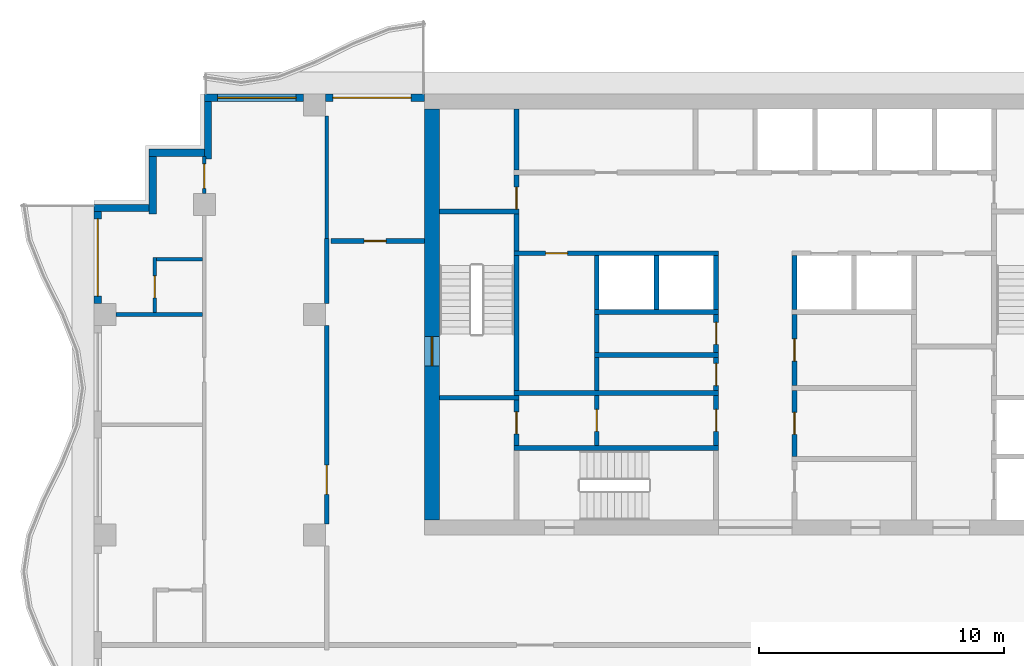
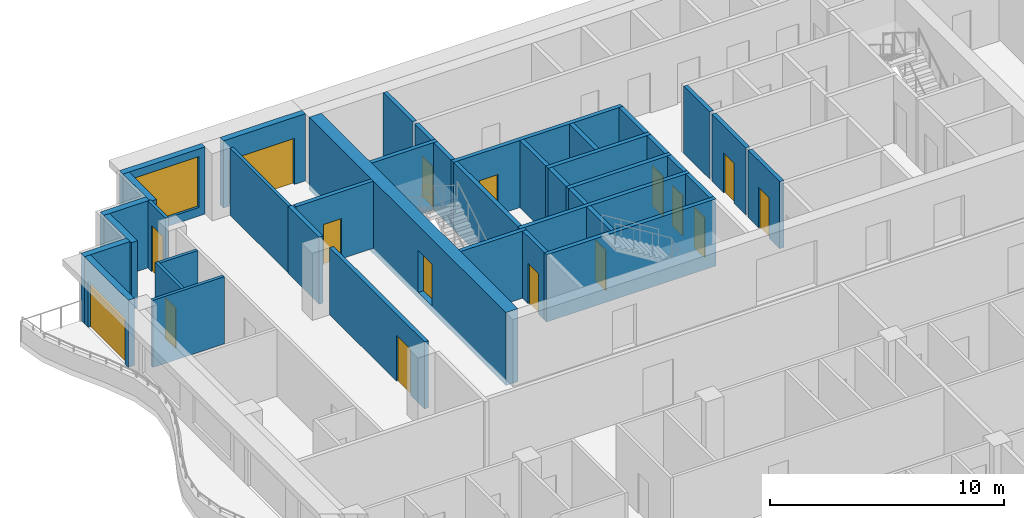
# One storey, part 5 of 11: 40 walls, 16 doors, 1 window, 17 openings.
"""IFC4 building model written with IfcOpenShell, lengths in metres."""

from ifc_helpers import new_model, si_unit, direction, frame, frame_2d, origin, place, context, subcontext, project, spatial, rectangle, extrude, material, layer, layer_set, type_object, element, fill, save


model = new_model("IFC4")

# Units and contexts
model_context = context("Model", 3, precision=1e-05, world=origin(), true_north=direction((0.0, 1.0)))
body_context = subcontext(model_context, "Body", "Model", "MODEL_VIEW")
ifc_project = project(units=[si_unit("LENGTHUNIT", "METRE"), si_unit("AREAUNIT", "SQUARE_METRE"), si_unit("VOLUMEUNIT", "CUBIC_METRE"), si_unit("PLANEANGLEUNIT", "RADIAN"), si_unit("MASSUNIT", "GRAM", prefix="KILO")], contexts=[model_context])

# Site, building, storey
site_placement = place(None, origin())
site = spatial("IfcSite", under=ifc_project, at=site_placement, CompositionType="ELEMENT")
building_placement = place(site_placement, origin())
building = spatial("IfcBuilding", under=site, at=building_placement, Name="Orbiselva Terraces", CompositionType="ELEMENT")
storey_placement = place(building_placement, frame((0.0, 0.0, 280.6)))
storey = spatial("IfcBuildingStorey", under=building, at=storey_placement, Name="L71", CompositionType="ELEMENT", Elevation=280.6)

# Wall, opening, door
ifc_material_1 = material(Name="Concrete C80/95", Category="concrete")
ifc_layer_1 = layer(ifc_material_1, 0.6)
ifc_layer_set_1 = layer_set([ifc_layer_1], Name="Concrete C80/95")
wall_type_1 = type_object("IfcWallType", Name="CORE WALL 600", PredefinedType="SHEAR", material=ifc_layer_set_1)
wall_1_placement = place(storey_placement, frame((-13.2, 21.9, -0.3), z_axis=(0.0, 0.0, 1.0), x_axis=(0.0, -1.0, 0.0)))
wall_1 = element("IfcWall", 1, at=wall_1_placement, inside=storey, type_object=wall_type_1, Name="Core wall L71 west", PredefinedType="SHEAR", context=body_context, shape_type="SweptSolid", body=[
    extrude(rectangle(XDim=16.8, YDim=0.6, at=frame_2d((8.4, 0.0))), origin(), (0.0, 0.0, 1.0), 3.8),
])
opening_1_placement = place(wall_1_placement, frame((9.3, 0.0, 0.3)))
opening_1 = element("IfcOpeningElement", 2, at=opening_1_placement, cuts=wall_1, Name="Opening DS1200", PredefinedType="OPENING", context=body_context, shape_type="SweptSolid", body=[
    extrude(rectangle(XDim=1.2, YDim=2.2, at=frame_2d((0.6, 1.1))), frame((0.0, 0.31, 0.0), z_axis=(0.0, -1.0, 0.0), x_axis=(1.0, 0.0, 0.0)), (0.0, 0.0, 1.0), 0.62),
])
ifc_material_2 = material(Name="Steel fire door", Category="steel")
door_type_1 = type_object("IfcDoorType", Name="STAIR DOOR 1200", OperationType="NOTDEFINED", PredefinedType="DOOR", material=ifc_material_2)
door_1_placement = place(opening_1_placement, frame((1.2, 0.0, 0.0), z_axis=(0.0, 0.0, 1.0), x_axis=(-1.0, 0.0, 0.0)))
door_1 = element("IfcDoor", 3, at=door_1_placement, inside=storey, type_object=door_type_1, Name="L71 EXIT STAIR S1 door", OperationType="SINGLE_SWING_RIGHT", OverallHeight=2.2, OverallWidth=1.2, PredefinedType="DOOR", context=body_context, shape_type="SweptSolid", body=[
    extrude(rectangle(XDim=1.2, YDim=2.2, at=frame_2d((0.6, 1.1))), frame((0.0, 0.025, 0.0), z_axis=(0.0, -1.0, 0.0), x_axis=(1.0, 0.0, 0.0)), (0.0, 0.0, 1.0), 0.05),
])
fill(opening_1, door_1)

ifc_material_3 = material(Name="Masonry blockwork", Category="masonry")
ifc_layer_2 = layer(ifc_material_3, 0.2)
ifc_layer_set_2 = layer_set([ifc_layer_2], Name="Masonry blockwork")
wall_type_2 = type_object("IfcWallType", Name="CORE-WALL-PARTITION-200", PredefinedType="PARTITIONING", material=ifc_layer_set_2)
wall_2_placement = place(storey_placement, frame((-9.75, 8.15, 0.0), z_axis=(0.0, 0.0, 1.0), x_axis=(0.0, 1.0, 0.0)))
wall_2 = element("IfcWall", 4, at=wall_2_placement, inside=storey, type_object=wall_type_2, Name="L71 core wall 05", PredefinedType="PARTITIONING", context=body_context, shape_type="SweptSolid", body=[
    extrude(rectangle(XDim=1.85, YDim=0.2, at=frame_2d((0.925, 0.0))), origin(), (0.0, 0.0, 1.0), 3.5),
])
opening_2_placement = place(wall_2_placement, frame((0.475, 0.0, 0.0)))
opening_2 = element("IfcOpeningElement", 5, at=opening_2_placement, cuts=wall_2, Name="Opening DR900", PredefinedType="OPENING", context=body_context, shape_type="SweptSolid", body=[
    extrude(rectangle(XDim=0.9, YDim=2.1, at=frame_2d((0.45, 1.05))), frame((0.0, 0.11, 0.0), z_axis=(0.0, -1.0, 0.0), x_axis=(1.0, 0.0, 0.0)), (0.0, 0.0, 1.0), 0.22),
])
door_type_2 = type_object("IfcDoorType", Name="ROOM DOOR 900", OperationType="NOTDEFINED", PredefinedType="DOOR", material=ifc_material_2)
door_2_placement = place(opening_2_placement, origin())
door_2 = element("IfcDoor", 6, at=door_2_placement, inside=storey, type_object=door_type_2, Name="L71 ACCESSIBLE WC door", OperationType="SINGLE_SWING_RIGHT", OverallHeight=2.1, OverallWidth=0.9, PredefinedType="DOOR", context=body_context, shape_type="SweptSolid", body=[
    extrude(rectangle(XDim=0.9, YDim=2.1, at=frame_2d((0.45, 1.05))), frame((0.0, 0.025, 0.0), z_axis=(0.0, -1.0, 0.0), x_axis=(1.0, 0.0, 0.0)), (0.0, 0.0, 1.0), 0.05),
])
fill(opening_2, door_2)

wall_3_placement = place(storey_placement, frame((-9.75, 17.8, 0.0), z_axis=(0.0, 0.0, 1.0), x_axis=(0.0, 1.0, 0.0)))
wall_3 = element("IfcWall", 7, at=wall_3_placement, inside=storey, type_object=wall_type_2, Name="L71 core wall 10", PredefinedType="PARTITIONING", context=body_context, shape_type="SweptSolid", body=[
    extrude(rectangle(XDim=1.4, YDim=0.2, at=frame_2d((0.7, 0.0))), origin(), (0.0, 0.0, 1.0), 3.5),
])
opening_3_placement = place(wall_3_placement, origin())
opening_3 = element("IfcOpeningElement", 8, at=opening_3_placement, cuts=wall_3, Name="Opening DR900", PredefinedType="OPENING", context=body_context, shape_type="SweptSolid", body=[
    extrude(rectangle(XDim=0.9, YDim=2.1, at=frame_2d((0.45, 1.05))), frame((0.0, 0.11, 0.0), z_axis=(0.0, -1.0, 0.0), x_axis=(1.0, 0.0, 0.0)), (0.0, 0.0, 1.0), 0.22),
])
door_3_placement = place(opening_3_placement, origin())
door_3 = element("IfcDoor", 9, at=door_3_placement, inside=storey, type_object=door_type_2, Name="L71 COMMS RISER ROOM door", OperationType="SINGLE_SWING_LEFT", OverallHeight=2.1, OverallWidth=0.9, PredefinedType="DOOR", context=body_context, shape_type="SweptSolid", body=[
    extrude(rectangle(XDim=0.9, YDim=2.1, at=frame_2d((0.45, 1.05))), frame((0.0, 0.025, 0.0), z_axis=(0.0, -1.0, 0.0), x_axis=(1.0, 0.0, 0.0)), (0.0, 0.0, 1.0), 0.05),
])
fill(opening_3, door_3)

# Wall
wall_4_placement = place(storey_placement, frame((-9.75, 19.4, 0.0), z_axis=(0.0, 0.0, 1.0), x_axis=(0.0, 1.0, 0.0)))
element("IfcWall", 10, at=wall_4_placement, inside=storey, type_object=wall_type_2, Name="L71 core wall 12", PredefinedType="PARTITIONING", context=body_context, shape_type="SweptSolid", body=[
    extrude(rectangle(XDim=2.5, YDim=0.2, at=frame_2d((1.25, 0.0))), origin(), (0.0, 0.0, 1.0), 3.5),
])

# Wall, opening, door
wall_5_placement = place(storey_placement, frame((-6.475, 8.15, 0.0), z_axis=(0.0, 0.0, 1.0), x_axis=(0.0, 1.0, 0.0)))
wall_5 = element("IfcWall", 11, at=wall_5_placement, inside=storey, type_object=wall_type_2, Name="L71 core wall 13", PredefinedType="PARTITIONING", context=body_context, shape_type="SweptSolid", body=[
    extrude(rectangle(XDim=2.05, YDim=0.2, at=frame_2d((1.025, 0.0))), origin(), (0.0, 0.0, 1.0), 3.5),
])
opening_4_placement = place(wall_5_placement, frame((0.575, 0.0, 0.0)))
opening_4 = element("IfcOpeningElement", 12, at=opening_4_placement, cuts=wall_5, Name="Opening DR900", PredefinedType="OPENING", context=body_context, shape_type="SweptSolid", body=[
    extrude(rectangle(XDim=0.9, YDim=2.1, at=frame_2d((0.45, 1.05))), frame((0.0, 0.11, 0.0), z_axis=(0.0, -1.0, 0.0), x_axis=(1.0, 0.0, 0.0)), (0.0, 0.0, 1.0), 0.22),
])
door_4_placement = place(opening_4_placement, origin())
door_4 = element("IfcDoor", 13, at=door_4_placement, inside=storey, type_object=door_type_2, Name="L71 CLEANERS STORE door", OperationType="SINGLE_SWING_RIGHT", OverallHeight=2.1, OverallWidth=0.9, PredefinedType="DOOR", context=body_context, shape_type="SweptSolid", body=[
    extrude(rectangle(XDim=0.9, YDim=2.1, at=frame_2d((0.45, 1.05))), frame((0.0, 0.025, 0.0), z_axis=(0.0, -1.0, 0.0), x_axis=(1.0, 0.0, 0.0)), (0.0, 0.0, 1.0), 0.05),
])
fill(opening_4, door_4)

# Walls
wall_6_placement = place(storey_placement, frame((-6.475, 10.4, 0.0), z_axis=(0.0, 0.0, 1.0), x_axis=(0.0, 1.0, 0.0)))
element("IfcWall", 14, at=wall_6_placement, inside=storey, type_object=wall_type_2, Name="L71 core wall 14", PredefinedType="PARTITIONING", context=body_context, shape_type="SweptSolid", body=[
    extrude(rectangle(XDim=1.35, YDim=0.2, at=frame_2d((0.675, 0.0))), origin(), (0.0, 0.0, 1.0), 3.5),
])
wall_7_placement = place(storey_placement, frame((-6.475, 11.95, 0.0), z_axis=(0.0, 0.0, 1.0), x_axis=(0.0, 1.0, 0.0)))
element("IfcWall", 15, at=wall_7_placement, inside=storey, type_object=wall_type_2, Name="L71 core wall 16", PredefinedType="PARTITIONING", context=body_context, shape_type="SweptSolid", body=[
    extrude(rectangle(XDim=1.55, YDim=0.2, at=frame_2d((0.775, 0.0))), origin(), (0.0, 0.0, 1.0), 3.5),
])

# Wall, opening, door
wall_8_placement = place(storey_placement, frame((-1.6, 8.15, 0.0), z_axis=(0.0, 0.0, 1.0), x_axis=(0.0, 1.0, 0.0)))
wall_8 = element("IfcWall", 16, at=wall_8_placement, inside=storey, type_object=wall_type_2, Name="L71 core wall 22", PredefinedType="PARTITIONING", context=body_context, shape_type="SweptSolid", body=[
    extrude(rectangle(XDim=2.05, YDim=0.2, at=frame_2d((1.025, 0.0))), origin(), (0.0, 0.0, 1.0), 3.5),
])
opening_5_placement = place(wall_8_placement, frame((0.575, 0.0, 0.0)))
opening_5 = element("IfcOpeningElement", 17, at=opening_5_placement, cuts=wall_8, Name="Opening DR900", PredefinedType="OPENING", context=body_context, shape_type="SweptSolid", body=[
    extrude(rectangle(XDim=0.9, YDim=2.1, at=frame_2d((0.45, 1.05))), frame((0.0, 0.11, 0.0), z_axis=(0.0, -1.0, 0.0), x_axis=(1.0, 0.0, 0.0)), (0.0, 0.0, 1.0), 0.22),
])
door_5_placement = place(opening_5_placement, origin())
door_5 = element("IfcDoor", 18, at=door_5_placement, inside=storey, type_object=door_type_2, Name="L71 COMMS ROOM door", OperationType="SINGLE_SWING_RIGHT", OverallHeight=2.1, OverallWidth=0.9, PredefinedType="DOOR", context=body_context, shape_type="SweptSolid", body=[
    extrude(rectangle(XDim=0.9, YDim=2.1, at=frame_2d((0.45, 1.05))), frame((0.0, 0.025, 0.0), z_axis=(0.0, -1.0, 0.0), x_axis=(1.0, 0.0, 0.0)), (0.0, 0.0, 1.0), 0.05),
])
fill(opening_5, door_5)

wall_9_placement = place(storey_placement, frame((-1.6, 10.4, 0.0), z_axis=(0.0, 0.0, 1.0), x_axis=(0.0, 1.0, 0.0)))
wall_9 = element("IfcWall", 19, at=wall_9_placement, inside=storey, type_object=wall_type_2, Name="L71 core wall 23", PredefinedType="PARTITIONING", context=body_context, shape_type="SweptSolid", body=[
    extrude(rectangle(XDim=1.35, YDim=0.2, at=frame_2d((0.675, 0.0))), origin(), (0.0, 0.0, 1.0), 3.5),
])
opening_6_placement = place(wall_9_placement, frame((0.2, 0.0, 0.0)))
opening_6 = element("IfcOpeningElement", 20, at=opening_6_placement, cuts=wall_9, Name="Opening DR900", PredefinedType="OPENING", context=body_context, shape_type="SweptSolid", body=[
    extrude(rectangle(XDim=0.9, YDim=2.1, at=frame_2d((0.45, 1.05))), frame((0.0, 0.11, 0.0), z_axis=(0.0, -1.0, 0.0), x_axis=(1.0, 0.0, 0.0)), (0.0, 0.0, 1.0), 0.22),
])
door_6_placement = place(opening_6_placement, origin())
door_6 = element("IfcDoor", 21, at=door_6_placement, inside=storey, type_object=door_type_2, Name="L71 BUILDING STORE door", OperationType="SINGLE_SWING_LEFT", OverallHeight=2.1, OverallWidth=0.9, PredefinedType="DOOR", context=body_context, shape_type="SweptSolid", body=[
    extrude(rectangle(XDim=0.9, YDim=2.1, at=frame_2d((0.45, 1.05))), frame((0.0, 0.025, 0.0), z_axis=(0.0, -1.0, 0.0), x_axis=(1.0, 0.0, 0.0)), (0.0, 0.0, 1.0), 0.05),
])
fill(opening_6, door_6)

wall_10_placement = place(storey_placement, frame((-1.6, 11.95, 0.0), z_axis=(0.0, 0.0, 1.0), x_axis=(0.0, 1.0, 0.0)))
wall_10 = element("IfcWall", 22, at=wall_10_placement, inside=storey, type_object=wall_type_2, Name="L71 core wall 24", PredefinedType="PARTITIONING", context=body_context, shape_type="SweptSolid", body=[
    extrude(rectangle(XDim=1.55, YDim=0.2, at=frame_2d((0.775, 0.0))), origin(), (0.0, 0.0, 1.0), 3.5),
])
opening_7_placement = place(wall_10_placement, frame((0.325, 0.0, 0.0)))
opening_7 = element("IfcOpeningElement", 23, at=opening_7_placement, cuts=wall_10, Name="Opening DR900", PredefinedType="OPENING", context=body_context, shape_type="SweptSolid", body=[
    extrude(rectangle(XDim=0.9, YDim=2.1, at=frame_2d((0.45, 1.05))), frame((0.0, 0.11, 0.0), z_axis=(0.0, -1.0, 0.0), x_axis=(1.0, 0.0, 0.0)), (0.0, 0.0, 1.0), 0.22),
])
door_7_placement = place(opening_7_placement, origin())
door_7 = element("IfcDoor", 24, at=door_7_placement, inside=storey, type_object=door_type_2, Name="L71 LINEN STORE door", OperationType="SINGLE_SWING_LEFT", OverallHeight=2.1, OverallWidth=0.9, PredefinedType="DOOR", context=body_context, shape_type="SweptSolid", body=[
    extrude(rectangle(XDim=0.9, YDim=2.1, at=frame_2d((0.45, 1.05))), frame((0.0, 0.025, 0.0), z_axis=(0.0, -1.0, 0.0), x_axis=(1.0, 0.0, 0.0)), (0.0, 0.0, 1.0), 0.05),
])
fill(opening_7, door_7)

wall_11_placement = place(storey_placement, frame((1.6, 10.4, 0.0), z_axis=(0.0, 0.0, 1.0), x_axis=(0.0, -1.0, 0.0)))
wall_11 = element("IfcWall", 25, at=wall_11_placement, inside=storey, type_object=wall_type_2, Name="L71 core wall 29", PredefinedType="PARTITIONING", context=body_context, shape_type="SweptSolid", body=[
    extrude(rectangle(XDim=2.7, YDim=0.2, at=frame_2d((1.35, 0.0))), origin(), (0.0, 0.0, 1.0), 3.5),
])
opening_8_placement = place(wall_11_placement, frame((0.9, 0.0, 0.0)))
opening_8 = element("IfcOpeningElement", 26, at=opening_8_placement, cuts=wall_11, Name="Opening DR900", PredefinedType="OPENING", context=body_context, shape_type="SweptSolid", body=[
    extrude(rectangle(XDim=0.9, YDim=2.1, at=frame_2d((0.45, 1.05))), frame((0.0, 0.11, 0.0), z_axis=(0.0, -1.0, 0.0), x_axis=(1.0, 0.0, 0.0)), (0.0, 0.0, 1.0), 0.22),
])
door_8_placement = place(opening_8_placement, origin())
door_8 = element("IfcDoor", 27, at=door_8_placement, inside=storey, type_object=door_type_2, Name="L71 SERVICE PANTRY door", OperationType="SINGLE_SWING_LEFT", OverallHeight=2.1, OverallWidth=0.9, PredefinedType="DOOR", context=body_context, shape_type="SweptSolid", body=[
    extrude(rectangle(XDim=0.9, YDim=2.1, at=frame_2d((0.45, 1.05))), frame((0.0, 0.025, 0.0), z_axis=(0.0, -1.0, 0.0), x_axis=(1.0, 0.0, 0.0)), (0.0, 0.0, 1.0), 0.05),
])
fill(opening_8, door_8)

wall_12_placement = place(storey_placement, frame((1.6, 13.5, 0.0), z_axis=(0.0, 0.0, 1.0), x_axis=(0.0, -1.0, 0.0)))
wall_12 = element("IfcWall", 28, at=wall_12_placement, inside=storey, type_object=wall_type_2, Name="L71 core wall 31", PredefinedType="PARTITIONING", context=body_context, shape_type="SweptSolid", body=[
    extrude(rectangle(XDim=2.9, YDim=0.2, at=frame_2d((1.45, 0.0))), origin(), (0.0, 0.0, 1.0), 3.5),
])
opening_9_placement = place(wall_12_placement, frame((1.0, 0.0, 0.0)))
opening_9 = element("IfcOpeningElement", 29, at=opening_9_placement, cuts=wall_12, Name="Opening DR900", PredefinedType="OPENING", context=body_context, shape_type="SweptSolid", body=[
    extrude(rectangle(XDim=0.9, YDim=2.1, at=frame_2d((0.45, 1.05))), frame((0.0, 0.11, 0.0), z_axis=(0.0, -1.0, 0.0), x_axis=(1.0, 0.0, 0.0)), (0.0, 0.0, 1.0), 0.22),
])
door_9_placement = place(opening_9_placement, origin())
door_9 = element("IfcDoor", 30, at=door_9_placement, inside=storey, type_object=door_type_2, Name="L71 STAFF WC door", OperationType="SINGLE_SWING_LEFT", OverallHeight=2.1, OverallWidth=0.9, PredefinedType="DOOR", context=body_context, shape_type="SweptSolid", body=[
    extrude(rectangle(XDim=0.9, YDim=2.1, at=frame_2d((0.45, 1.05))), frame((0.0, 0.025, 0.0), z_axis=(0.0, -1.0, 0.0), x_axis=(1.0, 0.0, 0.0)), (0.0, 0.0, 1.0), 0.05),
])
fill(opening_9, door_9)

# Walls
ifc_material_4 = material(Name="Concrete C40/50", Category="concrete")
ifc_layer_3 = layer(ifc_material_4, 0.2)
ifc_layer_set_3 = layer_set([ifc_layer_3], Name="Concrete C40/50")
wall_type_3 = type_object("IfcWallType", Name="CORE-WALL-SHAFT-200", PredefinedType="PARTITIONING", material=ifc_layer_set_3)
for number, where, z_axis, x_axis, name in (
    (31, (-6.475, 13.7, 0.0), (0.0, 0.0, 1.0), (0.0, 1.0, 0.0), "L71 core wall 18"),
    (32, (-4.0375, 13.7, 0.0), (0.0, 0.0, 1.0), (0.0, 1.0, 0.0), "L71 core wall 19"),
    (33, (-1.6, 13.7, 0.0), (0.0, 0.0, 1.0), (0.0, 1.0, 0.0), "L71 core wall 25"),
    (34, (1.6, 13.7, 0.0), (0.0, 0.0, 1.0), (0.0, 1.0, 0.0), "L71 core wall 33"),
):
    element("IfcWall", number, at=place(storey_placement, frame(where, z_axis=z_axis, x_axis=x_axis)), inside=storey, type_object=wall_type_3, Name=name, PredefinedType="PARTITIONING", context=body_context, shape_type="SweptSolid", body=[
        extrude(rectangle(XDim=2.2, YDim=0.2, at=frame_2d((1.1, 0.0))), origin(), (0.0, 0.0, 1.0), 3.5),
    ])
ifc_material_5 = material(Name="Concrete C60/75", Category="concrete")
ifc_layer_4 = layer(ifc_material_5, 0.2)
ifc_layer_set_4 = layer_set([ifc_layer_4], Name="Concrete C60/75")
wall_type_4 = type_object("IfcWallType", Name="CORE-WALL-SHEAR-200", PredefinedType="SHEAR", material=ifc_layer_set_4)
for number, where, z_axis, x_axis, name in (
    (35, (-12.9, 10.1, 0.0), (0.0, 0.0, 1.0), (1.0, 0.0, 0.0), "L71 core wall 01"),
    (36, (-12.9, 17.7, 0.0), (0.0, 0.0, 1.0), (1.0, 0.0, 0.0), "L71 core wall 02"),
):
    element("IfcWall", number, at=place(storey_placement, frame(where, z_axis=z_axis, x_axis=x_axis)), inside=storey, type_object=wall_type_4, Name=name, PredefinedType="SHEAR", context=body_context, shape_type="SweptSolid", body=[
        extrude(rectangle(XDim=3.25, YDim=0.2, at=frame_2d((1.625, 0.0))), origin(), (0.0, 0.0, 1.0), 3.5),
    ])
for number, where, z_axis, x_axis, name in (
    (37, (-9.85, 8.05, 0.0), (0.0, 0.0, 1.0), (1.0, 0.0, 0.0), "L71 core wall 04"),
    (38, (-9.85, 10.3, 0.0), (0.0, 0.0, 1.0), (1.0, 0.0, 0.0), "L71 core wall 06"),
):
    element("IfcWall", number, at=place(storey_placement, frame(where, z_axis=z_axis, x_axis=x_axis)), inside=storey, type_object=wall_type_4, Name=name, PredefinedType="SHEAR", context=body_context, shape_type="SweptSolid", body=[
        extrude(rectangle(XDim=8.35, YDim=0.2, at=frame_2d((4.175, 0.0))), origin(), (0.0, 0.0, 1.0), 3.5),
    ])
wall_13_placement = place(storey_placement, frame((-9.75, 10.4, 0.0), z_axis=(0.0, 0.0, 1.0), x_axis=(0.0, 1.0, 0.0)))
element("IfcWall", 39, at=wall_13_placement, inside=storey, type_object=wall_type_4, Name="L71 core wall 07", PredefinedType="SHEAR", context=body_context, shape_type="SweptSolid", body=[
    extrude(rectangle(XDim=5.5, YDim=0.2, at=frame_2d((2.75, 0.0))), origin(), (0.0, 0.0, 1.0), 3.5),
])

# Wall, opening, door
wall_14_placement = place(storey_placement, frame((-1.5, 16.0, 0.0), z_axis=(0.0, 0.0, 1.0), x_axis=(-1.0, 0.0, 0.0)))
wall_14 = element("IfcWall", 40, at=wall_14_placement, inside=storey, type_object=wall_type_4, Name="L71 core wall 08", PredefinedType="SHEAR", context=body_context, shape_type="SweptSolid", body=[
    extrude(rectangle(XDim=8.35, YDim=0.2, at=frame_2d((4.175, 0.0))), origin(), (0.0, 0.0, 1.0), 3.5),
])
opening_10_placement = place(wall_14_placement, frame((6.1625, 0.0, 0.0)))
opening_10 = element("IfcOpeningElement", 41, at=opening_10_placement, cuts=wall_14, Name="Opening DR900", PredefinedType="OPENING", context=body_context, shape_type="SweptSolid", body=[
    extrude(rectangle(XDim=0.9, YDim=2.1, at=frame_2d((0.45, 1.05))), frame((0.0, 0.11, 0.0), z_axis=(0.0, -1.0, 0.0), x_axis=(1.0, 0.0, 0.0)), (0.0, 0.0, 1.0), 0.22),
])
door_10_placement = place(opening_10_placement, origin())
door_10 = element("IfcDoor", 42, at=door_10_placement, inside=storey, type_object=door_type_2, Name="L71 GUEST PANTRY door", OperationType="SINGLE_SWING_RIGHT", OverallHeight=2.1, OverallWidth=0.9, PredefinedType="DOOR", context=body_context, shape_type="SweptSolid", body=[
    extrude(rectangle(XDim=0.9, YDim=2.1, at=frame_2d((0.45, 1.05))), frame((0.0, 0.025, 0.0), z_axis=(0.0, -1.0, 0.0), x_axis=(1.0, 0.0, 0.0)), (0.0, 0.0, 1.0), 0.05),
])
fill(opening_10, door_10)

# Walls
wall_15_placement = place(storey_placement, frame((-9.75, 16.1, 0.0), z_axis=(0.0, 0.0, 1.0), x_axis=(0.0, 1.0, 0.0)))
element("IfcWall", 43, at=wall_15_placement, inside=storey, type_object=wall_type_4, Name="L71 core wall 09", PredefinedType="SHEAR", context=body_context, shape_type="SweptSolid", body=[
    extrude(rectangle(XDim=1.5, YDim=0.2, at=frame_2d((0.75, 0.0))), origin(), (0.0, 0.0, 1.0), 3.5),
])
for number, where, z_axis, x_axis, name in (
    (44, (-6.575, 11.85, 0.0), (0.0, 0.0, 1.0), (1.0, 0.0, 0.0), "L71 core wall 15"),
    (45, (-6.575, 13.6, 0.0), (0.0, 0.0, 1.0), (1.0, 0.0, 0.0), "L71 core wall 17"),
):
    element("IfcWall", number, at=place(storey_placement, frame(where, z_axis=z_axis, x_axis=x_axis)), inside=storey, type_object=wall_type_4, Name=name, PredefinedType="SHEAR", context=body_context, shape_type="SweptSolid", body=[
        extrude(rectangle(XDim=5.075, YDim=0.2, at=frame_2d((2.5375, 0.0))), origin(), (0.0, 0.0, 1.0), 3.5),
    ])

# Wall, opening, door
ifc_material_6 = material(Name="Terracotta cladding on masonry backing", Category="masonry")
ifc_layer_5 = layer(ifc_material_6, 0.3)
ifc_layer_set_5 = layer_set([ifc_layer_5], Name="Terracotta cladding on masonry backing")
wall_type_5 = type_object("IfcWallType", Name="ENV-WALL-TERRACOTTA-300", PredefinedType="SOLIDWALL", material=ifc_layer_set_5)
wall_16_placement = place(storey_placement, frame((-17.55, 22.35, 0.0), z_axis=(0.0, 0.0, 1.0), x_axis=(1.0, 0.0, 0.0)))
wall_16 = element("IfcWall", 46, at=wall_16_placement, inside=storey, type_object=wall_type_5, Name="Facade wall L71 NW", PredefinedType="SOLIDWALL", context=body_context, shape_type="SweptSolid", body=[
    extrude(rectangle(XDim=4.05, YDim=0.3, at=frame_2d((2.025, 0.0))), origin(), (0.0, 0.0, 1.0), 3.5),
])
opening_11_placement = place(wall_16_placement, frame((0.3, 0.0, 0.0)))
opening_11 = element("IfcOpeningElement", 47, at=opening_11_placement, cuts=wall_16, Name="Opening Z5-D-E08", PredefinedType="OPENING", context=body_context, shape_type="SweptSolid", body=[
    extrude(rectangle(XDim=3.2, YDim=2.4, at=frame_2d((1.6, 1.2))), frame((0.0, 0.16, 0.0), z_axis=(0.0, -1.0, 0.0), x_axis=(1.0, 0.0, 0.0)), (0.0, 0.0, 1.0), 0.32),
])
ifc_material_7 = material(Name="Clear low-e glazing in aluminium frame", Category="aluminium")
door_type_3 = type_object("IfcDoorType", Name="BALCONY DOOR 3200 X 2400", OperationType="DOUBLE_DOOR_SLIDING", PredefinedType="DOOR", material=ifc_material_7)
door_11_placement = place(opening_11_placement, origin())
door_11 = element("IfcDoor", 48, at=door_11_placement, inside=storey, type_object=door_type_3, Name="Z5-D-E08", OperationType="SINGLE_SWING_LEFT", OverallHeight=2.4, OverallWidth=3.2, PredefinedType="DOOR", context=body_context, shape_type="SweptSolid", body=[
    extrude(rectangle(XDim=3.2, YDim=2.4, at=frame_2d((1.6, 1.2))), frame((0.0, 0.025, 0.0), z_axis=(0.0, -1.0, 0.0), x_axis=(1.0, 0.0, 0.0)), (0.0, 0.0, 1.0), 0.05),
])
fill(opening_11, door_11)

# Wall, opening, window
wall_17_placement = place(storey_placement, frame((-22.5, 22.35, 0.0), z_axis=(0.0, 0.0, 1.0), x_axis=(1.0, 0.0, 0.0)))
wall_17 = element("IfcWall", 49, at=wall_17_placement, inside=storey, type_object=wall_type_5, Name="Facade wall L71 NW", PredefinedType="SOLIDWALL", context=body_context, shape_type="SweptSolid", body=[
    extrude(rectangle(XDim=4.05, YDim=0.3, at=frame_2d((2.025, 0.0))), origin(), (0.0, 0.0, 1.0), 3.5),
])
opening_12_placement = place(wall_17_placement, frame((0.55, 0.0, 0.45)))
opening_12 = element("IfcOpeningElement", 50, at=opening_12_placement, cuts=wall_17, Name="Opening WN17", PredefinedType="OPENING", context=body_context, shape_type="SweptSolid", body=[
    extrude(rectangle(XDim=3.2, YDim=2.65, at=frame_2d((1.6, 1.325))), frame((0.0, 0.16, 0.0), z_axis=(0.0, -1.0, 0.0), x_axis=(1.0, 0.0, 0.0)), (0.0, 0.0, 1.0), 0.32),
])
window_type = type_object("IfcWindowType", Name="WINDOW 3200 X 2650 S450", PartitioningType="TRIPLE_PANEL_VERTICAL", PredefinedType="WINDOW", material=ifc_material_7)
window_placement = place(opening_12_placement, origin())
window = element("IfcWindow", 51, at=window_placement, inside=storey, type_object=window_type, Name="Window L71 NW", OverallHeight=2.65, OverallWidth=3.2, PartitioningType="SINGLE_PANEL", PredefinedType="WINDOW", context=body_context, shape_type="SweptSolid", body=[
    extrude(rectangle(XDim=3.2, YDim=2.65, at=frame_2d((1.6, 1.325))), frame((0.0, 0.03, 0.0), z_axis=(0.0, -1.0, 0.0), x_axis=(1.0, 0.0, 0.0)), (0.0, 0.0, 1.0), 0.06),
])
fill(opening_12, window)

# Walls
wall_18_placement = place(storey_placement, frame((-22.35, 19.85, 0.0), z_axis=(0.0, 0.0, 1.0), x_axis=(0.0, 1.0, 0.0)))
element("IfcWall", 52, at=wall_18_placement, inside=storey, type_object=wall_type_5, Name="Facade wall L71 STEP", PredefinedType="SOLIDWALL", context=body_context, shape_type="SweptSolid", body=[
    extrude(rectangle(XDim=2.35, YDim=0.3, at=frame_2d((1.175, 0.0))), origin(), (0.0, 0.0, 1.0), 3.5),
])
wall_19_placement = place(storey_placement, frame((-24.75, 20.1, 0.0), z_axis=(0.0, 0.0, 1.0), x_axis=(1.0, 0.0, 0.0)))
element("IfcWall", 53, at=wall_19_placement, inside=storey, type_object=wall_type_5, Name="Facade wall L71 STEP", PredefinedType="SOLIDWALL", context=body_context, shape_type="SweptSolid", body=[
    extrude(rectangle(XDim=2.25, YDim=0.3, at=frame_2d((1.125, 0.0))), origin(), (0.0, 0.0, 1.0), 3.5),
])
wall_20_placement = place(storey_placement, frame((-24.6, 17.6, 0.0), z_axis=(0.0, 0.0, 1.0), x_axis=(0.0, 1.0, 0.0)))
element("IfcWall", 54, at=wall_20_placement, inside=storey, type_object=wall_type_5, Name="Facade wall L71 STEP", PredefinedType="SOLIDWALL", context=body_context, shape_type="SweptSolid", body=[
    extrude(rectangle(XDim=2.35, YDim=0.3, at=frame_2d((1.175, 0.0))), origin(), (0.0, 0.0, 1.0), 3.5),
])
wall_21_placement = place(storey_placement, frame((-27.0, 17.85, 0.0), z_axis=(0.0, 0.0, 1.0), x_axis=(1.0, 0.0, 0.0)))
element("IfcWall", 55, at=wall_21_placement, inside=storey, type_object=wall_type_5, Name="Facade wall L71 STEP", PredefinedType="SOLIDWALL", context=body_context, shape_type="SweptSolid", body=[
    extrude(rectangle(XDim=2.25, YDim=0.3, at=frame_2d((1.125, 0.0))), origin(), (0.0, 0.0, 1.0), 3.5),
])

# Wall, opening, door
wall_22_placement = place(storey_placement, frame((-26.85, 13.95, 0.0), z_axis=(0.0, 0.0, 1.0), x_axis=(0.0, 1.0, 0.0)))
wall_22 = element("IfcWall", 56, at=wall_22_placement, inside=storey, type_object=wall_type_5, Name="Facade wall L71 W", PredefinedType="SOLIDWALL", context=body_context, shape_type="SweptSolid", body=[
    extrude(rectangle(XDim=3.75, YDim=0.3, at=frame_2d((1.875, 0.0))), origin(), (0.0, 0.0, 1.0), 3.5),
])
opening_13_placement = place(wall_22_placement, frame((0.3, 0.0, 0.0)))
opening_13 = element("IfcOpeningElement", 57, at=opening_13_placement, cuts=wall_22, Name="Opening Z5-D-E09", PredefinedType="OPENING", context=body_context, shape_type="SweptSolid", body=[
    extrude(rectangle(XDim=3.15, YDim=2.4, at=frame_2d((1.575, 1.2))), frame((0.0, 0.16, 0.0), z_axis=(0.0, -1.0, 0.0), x_axis=(1.0, 0.0, 0.0)), (0.0, 0.0, 1.0), 0.32),
])
door_type_4 = type_object("IfcDoorType", Name="BALCONY DOOR 3150 X 2400", OperationType="DOUBLE_DOOR_SLIDING", PredefinedType="DOOR", material=ifc_material_7)
door_12_placement = place(opening_13_placement, origin())
door_12 = element("IfcDoor", 58, at=door_12_placement, inside=storey, type_object=door_type_4, Name="Z5-D-E09", OperationType="SINGLE_SWING_LEFT", OverallHeight=2.4, OverallWidth=3.15, PredefinedType="DOOR", context=body_context, shape_type="SweptSolid", body=[
    extrude(rectangle(XDim=3.15, YDim=2.4, at=frame_2d((1.575, 1.2))), frame((0.0, 0.025, 0.0), z_axis=(0.0, -1.0, 0.0), x_axis=(1.0, 0.0, 0.0)), (0.0, 0.0, 1.0), 0.05),
])
fill(opening_13, door_12)

ifc_material_8 = material(Name="Plasterboard on steel stud partition", Category="steel")
ifc_layer_6 = layer(ifc_material_8, 0.2)
ifc_layer_set_6 = layer_set([ifc_layer_6], Name="Plasterboard on steel stud partition")
wall_type_6 = type_object("IfcWallType", Name="UNIT-ENTRANCE-WALL-200", PredefinedType="PARTITIONING", material=ifc_layer_set_6)
wall_23_placement = place(storey_placement, frame((-17.325, 16.5, 0.0), z_axis=(0.0, 0.0, 1.0), x_axis=(1.0, 0.0, 0.0)))
wall_23 = element("IfcWall", 59, at=wall_23_placement, inside=storey, type_object=wall_type_6, Name="PARTITION L71-039", PredefinedType="PARTITIONING", context=body_context, shape_type="SweptSolid", body=[
    extrude(rectangle(XDim=3.825, YDim=0.2, at=frame_2d((1.9125, 0.0))), origin(), (0.0, 0.0, 1.0), 3.5),
])
opening_14_placement = place(wall_23_placement, frame((1.35, 0.0, 0.0)))
opening_14 = element("IfcOpeningElement", 60, at=opening_14_placement, cuts=wall_23, Name="Opening Z5-D-01", PredefinedType="OPENING", context=body_context, shape_type="SweptSolid", body=[
    extrude(rectangle(XDim=0.9, YDim=2.1, at=frame_2d((0.45, 1.05))), frame((0.0, 0.11, 0.0), z_axis=(0.0, -1.0, 0.0), x_axis=(1.0, 0.0, 0.0)), (0.0, 0.0, 1.0), 0.22),
])
ifc_material_9 = material(Name="Painted timber door leaf", Category="wood")
door_type_5 = type_object("IfcDoorType", Name="SERVICE DOOR 900", OperationType="NOTDEFINED", PredefinedType="DOOR", material=ifc_material_9)
door_13_placement = place(opening_14_placement, origin())
door_13 = element("IfcDoor", 61, at=door_13_placement, inside=storey, type_object=door_type_5, Name="Z5-D-01", OperationType="SINGLE_SWING_LEFT", OverallHeight=2.1, OverallWidth=0.9, PredefinedType="DOOR", context=body_context, shape_type="SweptSolid", body=[
    extrude(rectangle(XDim=0.9, YDim=2.1, at=frame_2d((0.45, 1.05))), frame((0.0, 0.025, 0.0), z_axis=(0.0, -1.0, 0.0), x_axis=(1.0, 0.0, 0.0)), (0.0, 0.0, 1.0), 0.05),
])
fill(opening_14, door_13)

wall_24_placement = place(storey_placement, frame((-17.5, 4.95, 0.0), z_axis=(0.0, 0.0, 1.0), x_axis=(0.0, 1.0, 0.0)))
wall_24 = element("IfcWall", 62, at=wall_24_placement, inside=storey, type_object=wall_type_6, Name="PARTITION L71-051", PredefinedType="PARTITIONING", context=body_context, shape_type="SweptSolid", body=[
    extrude(rectangle(XDim=8.1, YDim=0.2, at=frame_2d((4.05, 0.0))), origin(), (0.0, 0.0, 1.0), 3.5),
])
opening_15_placement = place(wall_24_placement, frame((1.2, 0.0, 0.0)))
opening_15 = element("IfcOpeningElement", 63, at=opening_15_placement, cuts=wall_24, Name="Opening Z5-D-03", PredefinedType="OPENING", context=body_context, shape_type="SweptSolid", body=[
    extrude(rectangle(XDim=1.2, YDim=2.4, at=frame_2d((0.6, 1.2))), frame((0.0, 0.11, 0.0), z_axis=(0.0, -1.0, 0.0), x_axis=(1.0, 0.0, 0.0)), (0.0, 0.0, 1.0), 0.22),
])
door_type_6 = type_object("IfcDoorType", Name="ENTRANCE DOOR 1200", OperationType="NOTDEFINED", PredefinedType="DOOR", material=ifc_material_9)
door_14_placement = place(opening_15_placement, origin())
door_14 = element("IfcDoor", 64, at=door_14_placement, inside=storey, type_object=door_type_6, Name="Z5-D-03", OperationType="SINGLE_SWING_LEFT", OverallHeight=2.4, OverallWidth=1.2, PredefinedType="DOOR", context=body_context, shape_type="SweptSolid", body=[
    extrude(rectangle(XDim=1.2, YDim=2.4, at=frame_2d((0.6, 1.2))), frame((0.0, 0.025, 0.0), z_axis=(0.0, -1.0, 0.0), x_axis=(1.0, 0.0, 0.0)), (0.0, 0.0, 1.0), 0.05),
])
fill(opening_15, door_14)

# Walls
wall_25_placement = place(storey_placement, frame((-17.5, 13.95, 0.0), z_axis=(0.0, 0.0, 1.0), x_axis=(0.0, 1.0, 0.0)))
element("IfcWall", 65, at=wall_25_placement, inside=storey, type_object=wall_type_6, Name="PARTITION L71-052", PredefinedType="PARTITIONING", context=body_context, shape_type="SweptSolid", body=[
    extrude(rectangle(XDim=2.65, YDim=0.2, at=frame_2d((1.325, 0.0))), origin(), (0.0, 0.0, 1.0), 3.5),
])
ifc_layer_7 = layer(ifc_material_8, 0.15)
ifc_layer_set_7 = layer_set([ifc_layer_7], Name="Plasterboard on steel stud partition")
wall_type_7 = type_object("IfcWallType", Name="UNIT-PARTITION-150", PredefinedType="PARTITIONING", material=ifc_layer_set_7)
wall_26_placement = place(storey_placement, frame((-26.1, 13.5, 0.0), z_axis=(0.0, 0.0, 1.0), x_axis=(1.0, 0.0, 0.0)))
element("IfcWall", 66, at=wall_26_placement, inside=storey, type_object=wall_type_7, Name="PARTITION L71-034", PredefinedType="PARTITIONING", context=body_context, shape_type="SweptSolid", body=[
    extrude(rectangle(XDim=3.525, YDim=0.15, at=frame_2d((1.7625, 0.0))), origin(), (0.0, 0.0, 1.0), 3.5),
])
wall_27_placement = place(storey_placement, frame((-24.45, 15.75, 0.0), z_axis=(0.0, 0.0, 1.0), x_axis=(1.0, 0.0, 0.0)))
element("IfcWall", 67, at=wall_27_placement, inside=storey, type_object=wall_type_7, Name="PARTITION L71-037", PredefinedType="PARTITIONING", context=body_context, shape_type="SweptSolid", body=[
    extrude(rectangle(XDim=1.875, YDim=0.15, at=frame_2d((0.9375, 0.0))), origin(), (0.0, 0.0, 1.0), 3.5),
])

# Wall, opening, door
wall_28_placement = place(storey_placement, frame((-24.525, 15.825, 0.0), z_axis=(0.0, 0.0, 1.0), x_axis=(0.0, -1.0, 0.0)))
wall_28 = element("IfcWall", 68, at=wall_28_placement, inside=storey, type_object=wall_type_7, Name="PARTITION L71-042", PredefinedType="PARTITIONING", context=body_context, shape_type="SweptSolid", body=[
    extrude(rectangle(XDim=2.25, YDim=0.15, at=frame_2d((1.125, 0.0))), origin(), (0.0, 0.0, 1.0), 3.5),
])
opening_16_placement = place(wall_28_placement, frame((0.75, 0.0, 0.0)))
opening_16 = element("IfcOpeningElement", 69, at=opening_16_placement, cuts=wall_28, Name="Opening Z5-D-08", PredefinedType="OPENING", context=body_context, shape_type="SweptSolid", body=[
    extrude(rectangle(XDim=0.9, YDim=2.1, at=frame_2d((0.45, 1.05))), frame((0.0, 0.085, 0.0), z_axis=(0.0, -1.0, 0.0), x_axis=(1.0, 0.0, 0.0)), (0.0, 0.0, 1.0), 0.17),
])
door_type_7 = type_object("IfcDoorType", Name="BATH DOOR 900", OperationType="NOTDEFINED", PredefinedType="DOOR", material=ifc_material_9)
door_15_placement = place(opening_16_placement, origin())
door_15 = element("IfcDoor", 70, at=door_15_placement, inside=storey, type_object=door_type_7, Name="Z5-D-08", OperationType="SINGLE_SWING_RIGHT", OverallHeight=2.1, OverallWidth=0.9, PredefinedType="DOOR", context=body_context, shape_type="SweptSolid", body=[
    extrude(rectangle(XDim=0.9, YDim=2.1, at=frame_2d((0.45, 1.05))), frame((0.0, 0.025, 0.0), z_axis=(0.0, -1.0, 0.0), x_axis=(1.0, 0.0, 0.0)), (0.0, 0.0, 1.0), 0.05),
])
fill(opening_16, door_15)

wall_29_placement = place(storey_placement, frame((-22.5, 18.45, 0.0), z_axis=(0.0, 0.0, 1.0), x_axis=(0.0, 1.0, 0.0)))
wall_29 = element("IfcWall", 71, at=wall_29_placement, inside=storey, type_object=wall_type_7, Name="PARTITION L71-045", PredefinedType="PARTITIONING", context=body_context, shape_type="SweptSolid", body=[
    extrude(rectangle(XDim=1.5, YDim=0.15, at=frame_2d((0.75, 0.0))), origin(), (0.0, 0.0, 1.0), 3.5),
])
opening_17_placement = place(wall_29_placement, frame((0.2, 0.0, 0.0)))
opening_17 = element("IfcOpeningElement", 72, at=opening_17_placement, cuts=wall_29, Name="Opening Z5-D-07", PredefinedType="OPENING", context=body_context, shape_type="SweptSolid", body=[
    extrude(rectangle(XDim=1.0, YDim=2.4, at=frame_2d((0.5, 1.2))), frame((0.0, 0.085, 0.0), z_axis=(0.0, -1.0, 0.0), x_axis=(1.0, 0.0, 0.0)), (0.0, 0.0, 1.0), 0.17),
])
door_type_8 = type_object("IfcDoorType", Name="ROOM DOOR 1000", OperationType="NOTDEFINED", PredefinedType="DOOR", material=ifc_material_9)
door_16_placement = place(opening_17_placement, origin())
door_16 = element("IfcDoor", 73, at=door_16_placement, inside=storey, type_object=door_type_8, Name="Z5-D-07", OperationType="SINGLE_SWING_LEFT", OverallHeight=2.4, OverallWidth=1.0, PredefinedType="DOOR", context=body_context, shape_type="SweptSolid", body=[
    extrude(rectangle(XDim=1.0, YDim=2.4, at=frame_2d((0.5, 1.2))), frame((0.0, 0.025, 0.0), z_axis=(0.0, -1.0, 0.0), x_axis=(1.0, 0.0, 0.0)), (0.0, 0.0, 1.0), 0.05),
])
fill(opening_17, door_16)

# Wall
wall_30_placement = place(storey_placement, frame((-17.5, 16.4, 0.0), z_axis=(0.0, 0.0, 1.0), x_axis=(0.0, 1.0, 0.0)))
element("IfcWall", 74, at=wall_30_placement, inside=storey, type_object=wall_type_7, Name="PARTITION L71-053", PredefinedType="PARTITIONING", context=body_context, shape_type="SweptSolid", body=[
    extrude(rectangle(XDim=5.2, YDim=0.15, at=frame_2d((2.6, 0.0))), origin(), (0.0, 0.0, 1.0), 3.5),
])

save(model, "model.ifc")
